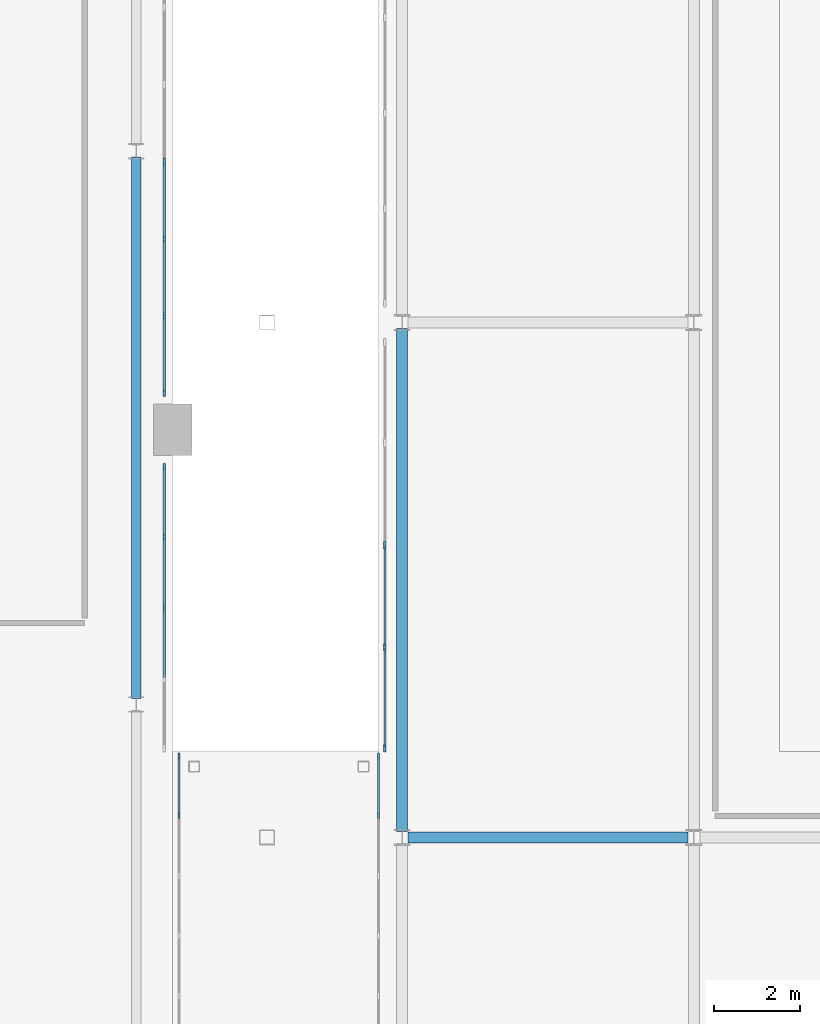
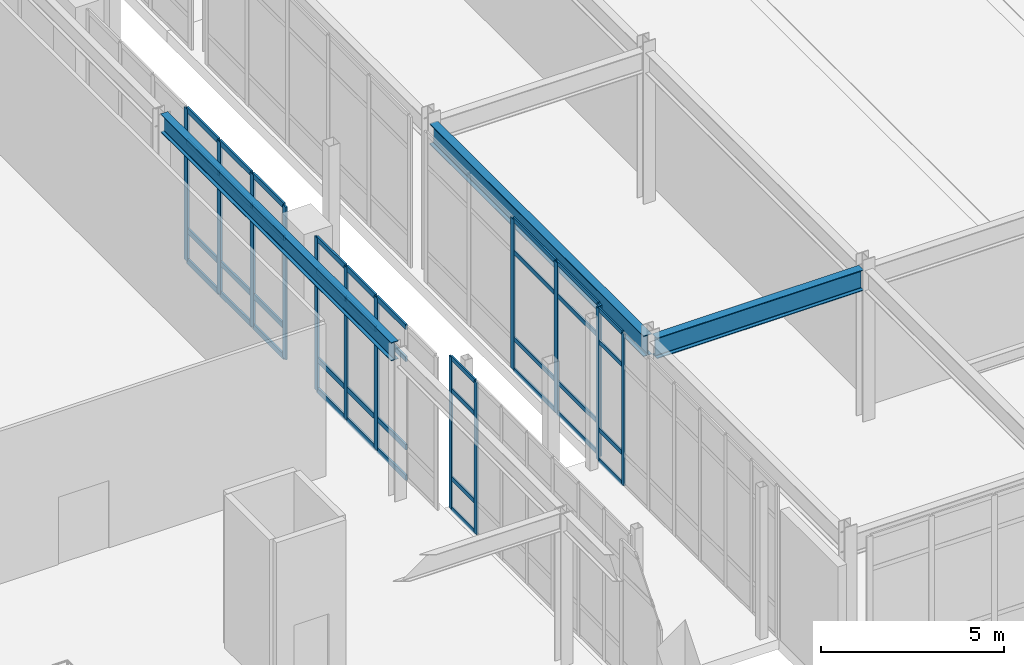
# One storey, part 64 of 159: 54 members, 3 beams, 5 elements without a shape of their own.
"""IFC4 building model written with IfcOpenShell, lengths in metres."""

from ifc_helpers import new_model, si_unit, derived_unit, direction, frame, origin, origin_2d, place, context, subcontext, project, spatial, rectangle, i_section, extrude, material, layer, layer_set, material_profile, profile_set, type_object, element, aggregate, save


model = new_model("IFC4")

# Units and contexts
model_context = context("Model", 3, precision=1e-05, world=origin(), true_north=direction((0.0, 1.0)))
body_context = subcontext(model_context, "Body", "Model", "MODEL_VIEW")
ifc_project = project(units=[si_unit("LENGTHUNIT", "METRE"), si_unit("AREAUNIT", "SQUARE_METRE"), si_unit("VOLUMEUNIT", "CUBIC_METRE"), si_unit("PLANEANGLEUNIT", "RADIAN"), si_unit("MASSUNIT", "GRAM", prefix="KILO"), derived_unit("THERMALTRANSMITTANCEUNIT", [(si_unit("MASSUNIT", "GRAM", prefix="KILO"), 1), (si_unit("TIMEUNIT", "SECOND"), -3), (si_unit("THERMODYNAMICTEMPERATUREUNIT", "KELVIN"), -1)])], contexts=[model_context])

# Site, building, storey
site_placement = place(None, origin())
site = spatial("IfcSite", under=ifc_project, at=site_placement, CompositionType="ELEMENT")
building_placement = place(site_placement, origin())
building = spatial("IfcBuilding", under=site, at=building_placement, Name="Valcora Ridge Arena", CompositionType="ELEMENT")
storey_placement = place(building_placement, frame((0.0, 0.0, 6.0)))
storey = spatial("IfcBuildingStorey", under=building, at=storey_placement, Name="L01", CompositionType="ELEMENT", Elevation=6.0)

# Beams
ifc_material_1 = material(Name="Steel ASTM A572 Grade 50", Category="steel")
ifc_material_profile_1 = material_profile(ifc_material_1, i_section(OverallWidth=0.22900390625, OverallDepth=0.612060546875, WebThickness=0.011962890625, FlangeThickness=0.01953125, FilletRadius=0.01806640625, at=origin_2d()), Name="W24X84")
ifc_profile_set_1 = profile_set([ifc_material_profile_1], Name="Steel ASTM A572 Grade 50")
beam_type_1 = type_object("IfcBeamType", Name="TY-BEAM-G-W24X84-Y", PredefinedType="BEAM", material=ifc_profile_set_1)
beam_1_placement = place(storey_placement, frame((131.0, 19.239990234375, 4.7939453125), z_axis=(0.0, 1.0, 0.0), x_axis=(-1.0, 0.0, 0.0)))
element("IfcBeam", 1, at=beam_1_placement, inside=storey, type_object=beam_type_1, Name="G-W24X84-Y BEM-G-W24X84-Y-0018", PredefinedType="BEAM", context=body_context, shape_type="SweptSolid", body=[
    extrude(i_section(OverallWidth=0.22900390625, OverallDepth=0.612060546875, WebThickness=0.011962890625, FlangeThickness=0.01953125, FilletRadius=0.01806640625, at=origin_2d()), origin(), (0.0, 0.0, 1.0), 12.6201171875),
])
ifc_material_profile_2 = material_profile(ifc_material_1, i_section(OverallWidth=0.256103515625, OverallDepth=0.693115234375, WebThickness=0.014404296875, FlangeThickness=0.023681640625, FilletRadius=0.02001953125, at=origin_2d()), Name="W27X114")
ifc_profile_set_2 = profile_set([ifc_material_profile_2], Name="Steel ASTM A572 Grade 50")
beam_type_2 = type_object("IfcBeamType", Name="TY-BEAM-G-W27X114-X", PredefinedType="BEAM", material=ifc_profile_set_2)
beam_2_placement = place(storey_placement, frame((137.340087890625, 16.0, 4.693603515625), z_axis=(1.0, 0.0, 0.0), x_axis=(0.0, 1.0, 0.0)))
element("IfcBeam", 2, at=beam_2_placement, inside=storey, type_object=beam_type_2, Name="G-W27X114-X BEM-G-W27X114-X-0024", PredefinedType="BEAM", context=body_context, shape_type="SweptSolid", body=[
    extrude(i_section(OverallWidth=0.256103515625, OverallDepth=0.693115234375, WebThickness=0.014404296875, FlangeThickness=0.023681640625, FilletRadius=0.02001953125, at=origin_2d()), origin(), (0.0, 0.0, 1.0), 6.52001953125),
])
ifc_material_profile_3 = material_profile(ifc_material_1, i_section(OverallWidth=0.256103515625, OverallDepth=0.693115234375, WebThickness=0.014404296875, FlangeThickness=0.023681640625, FilletRadius=0.02001953125, at=origin_2d()), Name="W27X114")
ifc_profile_set_3 = profile_set([ifc_material_profile_3], Name="Steel ASTM A572 Grade 50")
beam_type_3 = type_object("IfcBeamType", Name="TY-BEAM-G-W27X114-Y", PredefinedType="BEAM", material=ifc_profile_set_3)
beam_3_placement = place(storey_placement, frame((137.199951171875, 16.139892578125, 4.693603515625), z_axis=(0.0, 1.0, 0.0), x_axis=(-1.0, 0.0, 0.0)))
element("IfcBeam", 3, at=beam_3_placement, inside=storey, type_object=beam_type_3, Name="G-W27X114-Y BEM-G-W27X114-Y-0035", PredefinedType="BEAM", context=body_context, shape_type="SweptSolid", body=[
    extrude(i_section(OverallWidth=0.256103515625, OverallDepth=0.693115234375, WebThickness=0.014404296875, FlangeThickness=0.023681640625, FilletRadius=0.02001953125, at=origin_2d()), origin(), (0.0, 0.0, 1.0), 11.72021484375),
])

# Curtain wall, members
ifc_material_2 = material(Name="Anodised dark bronze architectural aluminium 6063-T6", Category="aluminium")
ifc_layer_1 = layer(ifc_material_2, 0.14990234375, Name="Anodised dark bronze architectural aluminium 6063-T6")
ifc_layer_set_1 = layer_set([ifc_layer_1], Name="Anodised dark bronze architectural aluminium 6063-T6")
curtain_wall_type_1 = type_object("IfcCurtainWallType", Name="TY-CURTAINWALL-CW-BRG-098X51", PredefinedType="NOTDEFINED", material=ifc_layer_set_1)
curtain_wall_1_placement = place(storey_placement, origin())
curtain_wall_1 = element("IfcCurtainWall", 4, at=curtain_wall_1_placement, inside=storey, type_object=curtain_wall_type_1, Name="CW-BRG-098X51 CW-0352", PredefinedType="NOTDEFINED")
ifc_material_profile_4 = material_profile(ifc_material_2, rectangle(XDim=0.050048828125, YDim=0.14990234375, at=origin_2d()), Name="ALU MULLION 50x150")
ifc_profile_set_4 = profile_set([ifc_material_profile_4], Name="Anodised dark bronze architectural aluminium 6063-T6")
member_type_1 = type_object("IfcMemberType", Name="TY-MEM-CWM-50x150", PredefinedType="MULLION", material=ifc_profile_set_4)
member_1_placement = place(storey_placement, frame((132.0, 16.514404296875, 0.0), z_axis=(0.0, 0.0, 1.0), x_axis=(-1.0, 0.0, 0.0)))
member_1 = element("IfcMember", 5, at=member_1_placement, type_object=member_type_1, Name="CW-0352/CWM-50x150/M06", PredefinedType="MULLION", context=body_context, shape_type="SweptSolid", body=[
    extrude(rectangle(XDim=0.050048828125, YDim=0.14990234375, at=origin_2d()), origin(), (0.0, 0.0, 1.0), 5.080078125),
])
member_2_placement = place(storey_placement, frame((132.0, 17.89501953125, 0.0), z_axis=(0.0, 0.0, 1.0), x_axis=(-1.0, 0.0, 0.0)))
member_2 = element("IfcMember", 6, at=member_2_placement, type_object=member_type_1, Name="CW-0352/CWM-50x150/M07", PredefinedType="MULLION", context=body_context, shape_type="SweptSolid", body=[
    extrude(rectangle(XDim=0.050048828125, YDim=0.14990234375, at=origin_2d()), origin(), (0.0, 0.0, 1.0), 5.080078125),
])

curtain_wall_2_placement = place(storey_placement, origin())
curtain_wall_2 = element("IfcCurtainWall", 7, at=curtain_wall_2_placement, inside=storey, type_object=curtain_wall_type_1, Name="CW-BRG-098X51 CW-0353", PredefinedType="NOTDEFINED")
member_3_placement = place(storey_placement, frame((136.64990234375, 16.514404296875, 0.0), z_axis=(0.0, 0.0, 1.0), x_axis=(-1.0, 0.0, 0.0)))
member_3 = element("IfcMember", 8, at=member_3_placement, type_object=member_type_1, Name="CW-0353/CWM-50x150/M06", PredefinedType="MULLION", context=body_context, shape_type="SweptSolid", body=[
    extrude(rectangle(XDim=0.050048828125, YDim=0.14990234375, at=origin_2d()), origin(), (0.0, 0.0, 1.0), 5.080078125),
])
member_4_placement = place(storey_placement, frame((136.64990234375, 17.89501953125, 0.0), z_axis=(0.0, 0.0, 1.0), x_axis=(-1.0, 0.0, 0.0)))
member_4 = element("IfcMember", 9, at=member_4_placement, type_object=member_type_1, Name="CW-0353/CWM-50x150/M07", PredefinedType="MULLION", context=body_context, shape_type="SweptSolid", body=[
    extrude(rectangle(XDim=0.050048828125, YDim=0.14990234375, at=origin_2d()), origin(), (0.0, 0.0, 1.0), 5.080078125),
])

ifc_layer_2 = layer(ifc_material_2, 0.179931640625, Name="Anodised dark bronze architectural aluminium 6063-T6")
ifc_layer_set_2 = layer_set([ifc_layer_2], Name="Anodised dark bronze architectural aluminium 6063-T6")
curtain_wall_type_2 = type_object("IfcCurtainWallType", Name="TY-CURTAINWALL-CW-V3-LANCET-066X51", PredefinedType="NOTDEFINED", material=ifc_layer_set_2)
curtain_wall_3_placement = place(storey_placement, origin())
curtain_wall_3 = element("IfcCurtainWall", 10, at=curtain_wall_3_placement, inside=storey, type_object=curtain_wall_type_2, Name="CW-V3-LANCET-066X51 CW-0014", PredefinedType="NOTDEFINED")
ifc_material_profile_5 = material_profile(ifc_material_2, rectangle(XDim=0.06005859375, YDim=0.179931640625, at=origin_2d()), Name="ALU MULLION 60x180")
ifc_profile_set_5 = profile_set([ifc_material_profile_5], Name="Anodised dark bronze architectural aluminium 6063-T6")
member_type_2 = type_object("IfcMemberType", Name="TY-MEM-CWM-60x180", PredefinedType="MULLION", material=ifc_profile_set_5)
member_5_placement = place(storey_placement, frame((131.64990234375, 21.35498046875, 0.0), z_axis=(0.0, 0.0, 1.0), x_axis=(-1.0, 0.0, 0.0)))
member_5 = element("IfcMember", 11, at=member_5_placement, type_object=member_type_2, Name="CW-0014/CWM-60x180/M02", PredefinedType="MULLION", context=body_context, shape_type="SweptSolid", body=[
    extrude(rectangle(XDim=0.06005859375, YDim=0.179931640625, at=origin_2d()), origin(), (0.0, 0.0, 1.0), 5.10009765625),
])
member_6_placement = place(storey_placement, frame((131.64990234375, 23.007568359375, 0.0), z_axis=(0.0, 0.0, 1.0), x_axis=(-1.0, 0.0, 0.0)))
member_6 = element("IfcMember", 12, at=member_6_placement, type_object=member_type_2, Name="CW-0014/CWM-60x180/M03", PredefinedType="MULLION", context=body_context, shape_type="SweptSolid", body=[
    extrude(rectangle(XDim=0.06005859375, YDim=0.179931640625, at=origin_2d()), origin(), (0.0, 0.0, 1.0), 5.10009765625),
])
member_7_placement = place(storey_placement, frame((131.64990234375, 24.6298828125, 0.0), z_axis=(0.0, 0.0, 1.0), x_axis=(-1.0, 0.0, 0.0)))
member_7 = element("IfcMember", 13, at=member_7_placement, type_object=member_type_2, Name="CW-0014/CWM-60x180/M04", PredefinedType="MULLION", context=body_context, shape_type="SweptSolid", body=[
    extrude(rectangle(XDim=0.06005859375, YDim=0.179931640625, at=origin_2d()), origin(), (0.0, 0.0, 1.0), 5.10009765625),
])

ifc_layer_3 = layer(ifc_material_2, 0.179931640625, Name="Anodised dark bronze architectural aluminium 6063-T6")
ifc_layer_set_3 = layer_set([ifc_layer_3], Name="Anodised dark bronze architectural aluminium 6063-T6")
curtain_wall_type_3 = type_object("IfcCurtainWallType", Name="TY-CURTAINWALL-CW-V3-LANCET-108X51", PredefinedType="NOTDEFINED", material=ifc_layer_set_3)
curtain_wall_4_placement = place(storey_placement, origin())
curtain_wall_4 = element("IfcCurtainWall", 14, at=curtain_wall_4_placement, inside=storey, type_object=curtain_wall_type_3, Name="CW-V3-LANCET-108X51 CW-0015", PredefinedType="NOTDEFINED")
member_8_placement = place(storey_placement, frame((131.64990234375, 26.3701171875, 0.0), z_axis=(0.0, 0.0, 1.0), x_axis=(-1.0, 0.0, 0.0)))
member_8 = element("IfcMember", 15, at=member_8_placement, type_object=member_type_2, Name="CW-0015/CWM-60x180/M00", PredefinedType="MULLION", context=body_context, shape_type="SweptSolid", body=[
    extrude(rectangle(XDim=0.06005859375, YDim=0.179931640625, at=origin_2d()), origin(), (0.0, 0.0, 1.0), 5.10009765625),
])
member_9_placement = place(storey_placement, frame((131.64990234375, 28.143310546875, 0.0), z_axis=(0.0, 0.0, 1.0), x_axis=(-1.0, 0.0, 0.0)))
member_9 = element("IfcMember", 16, at=member_9_placement, type_object=member_type_2, Name="CW-0015/CWM-60x180/M01", PredefinedType="MULLION", context=body_context, shape_type="SweptSolid", body=[
    extrude(rectangle(XDim=0.06005859375, YDim=0.179931640625, at=origin_2d()), origin(), (0.0, 0.0, 1.0), 5.10009765625),
])
member_10_placement = place(storey_placement, frame((131.64990234375, 29.94677734375, 0.0), z_axis=(0.0, 0.0, 1.0), x_axis=(-1.0, 0.0, 0.0)))
member_10 = element("IfcMember", 17, at=member_10_placement, type_object=member_type_2, Name="CW-0015/CWM-60x180/M02", PredefinedType="MULLION", context=body_context, shape_type="SweptSolid", body=[
    extrude(rectangle(XDim=0.06005859375, YDim=0.179931640625, at=origin_2d()), origin(), (0.0, 0.0, 1.0), 5.10009765625),
])
member_11_placement = place(storey_placement, frame((131.64990234375, 31.75, 0.0), z_axis=(0.0, 0.0, 1.0), x_axis=(-1.0, 0.0, 0.0)))
member_11 = element("IfcMember", 18, at=member_11_placement, type_object=member_type_2, Name="CW-0015/CWM-60x180/M03", PredefinedType="MULLION", context=body_context, shape_type="SweptSolid", body=[
    extrude(rectangle(XDim=0.06005859375, YDim=0.179931640625, at=origin_2d()), origin(), (0.0, 0.0, 1.0), 5.10009765625),
])

ifc_layer_4 = layer(ifc_material_2, 0.179931640625, Name="Anodised dark bronze architectural aluminium 6063-T6")
ifc_layer_set_4 = layer_set([ifc_layer_4], Name="Anodised dark bronze architectural aluminium 6063-T6")
curtain_wall_type_4 = type_object("IfcCurtainWallType", Name="TY-CURTAINWALL-CW-V2-GLAZ-095X50", PredefinedType="NOTDEFINED", material=ifc_layer_set_4)
curtain_wall_5_placement = place(storey_placement, origin())
curtain_wall_5 = element("IfcCurtainWall", 19, at=curtain_wall_5_placement, inside=storey, type_object=curtain_wall_type_4, Name="CW-V2-GLAZ-095X50 CW-0039", PredefinedType="NOTDEFINED")
member_12_placement = place(storey_placement, frame((136.800048828125, 18.080078125, 0.0), z_axis=(0.0, 0.0, 1.0), x_axis=(-1.0, 0.0, 0.0)))
member_12 = element("IfcMember", 20, at=member_12_placement, type_object=member_type_2, Name="CW-0039/CWM-60x180/M00", PredefinedType="MULLION", context=body_context, shape_type="SweptSolid", body=[
    extrude(rectangle(XDim=0.06005859375, YDim=0.179931640625, at=origin_2d()), origin(), (0.0, 0.0, 1.0), 5.0400390625),
])
member_13_placement = place(storey_placement, frame((136.800048828125, 20.430908203125, 0.0), z_axis=(0.0, 0.0, 1.0), x_axis=(-1.0, 0.0, 0.0)))
member_13 = element("IfcMember", 21, at=member_13_placement, type_object=member_type_2, Name="CW-0039/CWM-60x180/M01", PredefinedType="MULLION", context=body_context, shape_type="SweptSolid", body=[
    extrude(rectangle(XDim=0.06005859375, YDim=0.179931640625, at=origin_2d()), origin(), (0.0, 0.0, 1.0), 5.0400390625),
])
member_14_placement = place(storey_placement, frame((136.800048828125, 22.811767578125, 0.0), z_axis=(0.0, 0.0, 1.0), x_axis=(-1.0, 0.0, 0.0)))
member_14 = element("IfcMember", 22, at=member_14_placement, type_object=member_type_2, Name="CW-0039/CWM-60x180/M02", PredefinedType="MULLION", context=body_context, shape_type="SweptSolid", body=[
    extrude(rectangle(XDim=0.06005859375, YDim=0.179931640625, at=origin_2d()), origin(), (0.0, 0.0, 1.0), 5.0400390625),
])
ifc_material_profile_6 = material_profile(ifc_material_2, rectangle(XDim=0.050048828125, YDim=0.14990234375, at=origin_2d()), Name="ALU TRANSOM 50x150")
ifc_profile_set_6 = profile_set([ifc_material_profile_6], Name="Anodised dark bronze architectural aluminium 6063-T6")
member_type_3 = type_object("IfcMemberType", Name="TY-MEM-CWT-50x150", PredefinedType="USERDEFINED", material=ifc_profile_set_6)
member_15_placement = place(storey_placement, frame((136.800048828125, 18.110107421875, 0.02490234375), z_axis=(0.0, 1.0, 0.0), x_axis=(-1.0, 0.0, 0.0)))
member_15 = element("IfcMember", 23, at=member_15_placement, type_object=member_type_3, Name="CW-0039/CWT-50x150/T00-00", ObjectType="TRANSOM", PredefinedType="USERDEFINED", context=body_context, shape_type="SweptSolid", body=[
    extrude(rectangle(XDim=0.050048828125, YDim=0.14990234375, at=origin_2d()), origin(), (0.0, 0.0, 1.0), 2.290771484375),
])
member_16_placement = place(storey_placement, frame((136.800048828125, 18.110107421875, 1.050048828125), z_axis=(0.0, 1.0, 0.0), x_axis=(-1.0, 0.0, 0.0)))
member_16 = element("IfcMember", 24, at=member_16_placement, type_object=member_type_3, Name="CW-0039/CWT-50x150/T00-01", ObjectType="TRANSOM", PredefinedType="USERDEFINED", context=body_context, shape_type="SweptSolid", body=[
    extrude(rectangle(XDim=0.050048828125, YDim=0.14990234375, at=origin_2d()), origin(), (0.0, 0.0, 1.0), 2.290771484375),
])
member_17_placement = place(storey_placement, frame((136.800048828125, 18.110107421875, 3.93994140625), z_axis=(0.0, 1.0, 0.0), x_axis=(-1.0, 0.0, 0.0)))
member_17 = element("IfcMember", 25, at=member_17_placement, type_object=member_type_3, Name="CW-0039/CWT-50x150/T00-02", ObjectType="TRANSOM", PredefinedType="USERDEFINED", context=body_context, shape_type="SweptSolid", body=[
    extrude(rectangle(XDim=0.050048828125, YDim=0.14990234375, at=origin_2d()), origin(), (0.0, 0.0, 1.0), 2.290771484375),
])
member_18_placement = place(storey_placement, frame((136.800048828125, 18.110107421875, 5.014892578125), z_axis=(0.0, 1.0, 0.0), x_axis=(-1.0, 0.0, 0.0)))
member_18 = element("IfcMember", 26, at=member_18_placement, type_object=member_type_3, Name="CW-0039/CWT-50x150/T00-03", ObjectType="TRANSOM", PredefinedType="USERDEFINED", context=body_context, shape_type="SweptSolid", body=[
    extrude(rectangle(XDim=0.050048828125, YDim=0.14990234375, at=origin_2d()), origin(), (0.0, 0.0, 1.0), 2.290771484375),
])
member_19_placement = place(storey_placement, frame((136.800048828125, 20.4609375, 0.02490234375), z_axis=(0.0, 1.0, 0.0), x_axis=(-1.0, 0.0, 0.0)))
member_19 = element("IfcMember", 27, at=member_19_placement, type_object=member_type_3, Name="CW-0039/CWT-50x150/T01-00", ObjectType="TRANSOM", PredefinedType="USERDEFINED", context=body_context, shape_type="SweptSolid", body=[
    extrude(rectangle(XDim=0.050048828125, YDim=0.14990234375, at=origin_2d()), origin(), (0.0, 0.0, 1.0), 2.321044921875),
])
member_20_placement = place(storey_placement, frame((136.800048828125, 20.4609375, 1.050048828125), z_axis=(0.0, 1.0, 0.0), x_axis=(-1.0, 0.0, 0.0)))
member_20 = element("IfcMember", 28, at=member_20_placement, type_object=member_type_3, Name="CW-0039/CWT-50x150/T01-01", ObjectType="TRANSOM", PredefinedType="USERDEFINED", context=body_context, shape_type="SweptSolid", body=[
    extrude(rectangle(XDim=0.050048828125, YDim=0.14990234375, at=origin_2d()), origin(), (0.0, 0.0, 1.0), 2.321044921875),
])
member_21_placement = place(storey_placement, frame((136.800048828125, 20.4609375, 3.93994140625), z_axis=(0.0, 1.0, 0.0), x_axis=(-1.0, 0.0, 0.0)))
member_21 = element("IfcMember", 29, at=member_21_placement, type_object=member_type_3, Name="CW-0039/CWT-50x150/T01-02", ObjectType="TRANSOM", PredefinedType="USERDEFINED", context=body_context, shape_type="SweptSolid", body=[
    extrude(rectangle(XDim=0.050048828125, YDim=0.14990234375, at=origin_2d()), origin(), (0.0, 0.0, 1.0), 2.321044921875),
])
member_22_placement = place(storey_placement, frame((136.800048828125, 20.4609375, 5.014892578125), z_axis=(0.0, 1.0, 0.0), x_axis=(-1.0, 0.0, 0.0)))
member_22 = element("IfcMember", 30, at=member_22_placement, type_object=member_type_3, Name="CW-0039/CWT-50x150/T01-03", ObjectType="TRANSOM", PredefinedType="USERDEFINED", context=body_context, shape_type="SweptSolid", body=[
    extrude(rectangle(XDim=0.050048828125, YDim=0.14990234375, at=origin_2d()), origin(), (0.0, 0.0, 1.0), 2.321044921875),
])
aggregate(curtain_wall_5, [member_12, member_13, member_14, member_15, member_16, member_17, member_18, member_19, member_20, member_21, member_22])

# Member
member_23_placement = place(storey_placement, frame((132.0, 16.5390625, 0.02490234375), z_axis=(0.0, 1.0, 0.0), x_axis=(-1.0, 0.0, 0.0)))
member_23 = element("IfcMember", 31, at=member_23_placement, type_object=member_type_3, Name="CW-0352/CWT-50x150/T06-00", ObjectType="TRANSOM", PredefinedType="USERDEFINED", context=body_context, shape_type="SweptSolid", body=[
    extrude(rectangle(XDim=0.050048828125, YDim=0.14990234375, at=origin_2d()), origin(), (0.0, 0.0, 1.0), 1.3310546875),
])

member_24_placement = place(storey_placement, frame((132.0, 16.5390625, 1.050048828125), z_axis=(0.0, 1.0, 0.0), x_axis=(-1.0, 0.0, 0.0)))
member_24 = element("IfcMember", 32, at=member_24_placement, type_object=member_type_3, Name="CW-0352/CWT-50x150/T06-01", ObjectType="TRANSOM", PredefinedType="USERDEFINED", context=body_context, shape_type="SweptSolid", body=[
    extrude(rectangle(XDim=0.050048828125, YDim=0.14990234375, at=origin_2d()), origin(), (0.0, 0.0, 1.0), 1.3310546875),
])

member_25_placement = place(storey_placement, frame((132.0, 16.5390625, 3.97998046875), z_axis=(0.0, 1.0, 0.0), x_axis=(-1.0, 0.0, 0.0)))
member_25 = element("IfcMember", 33, at=member_25_placement, type_object=member_type_3, Name="CW-0352/CWT-50x150/T06-02", ObjectType="TRANSOM", PredefinedType="USERDEFINED", context=body_context, shape_type="SweptSolid", body=[
    extrude(rectangle(XDim=0.050048828125, YDim=0.14990234375, at=origin_2d()), origin(), (0.0, 0.0, 1.0), 1.3310546875),
])

member_26_placement = place(storey_placement, frame((132.0, 16.5390625, 5.054931640625), z_axis=(0.0, 1.0, 0.0), x_axis=(-1.0, 0.0, 0.0)))
member_26 = element("IfcMember", 34, at=member_26_placement, type_object=member_type_3, Name="CW-0352/CWT-50x150/T06-03", ObjectType="TRANSOM", PredefinedType="USERDEFINED", context=body_context, shape_type="SweptSolid", body=[
    extrude(rectangle(XDim=0.050048828125, YDim=0.14990234375, at=origin_2d()), origin(), (0.0, 0.0, 1.0), 1.3310546875),
])

aggregate(curtain_wall_1, [member_1, member_2, member_23, member_24, member_25, member_26])

member_27_placement = place(storey_placement, frame((136.64990234375, 16.5390625, 0.02490234375), z_axis=(0.0, 1.0, 0.0), x_axis=(-1.0, 0.0, 0.0)))
member_27 = element("IfcMember", 35, at=member_27_placement, type_object=member_type_3, Name="CW-0353/CWT-50x150/T06-00", ObjectType="TRANSOM", PredefinedType="USERDEFINED", context=body_context, shape_type="SweptSolid", body=[
    extrude(rectangle(XDim=0.050048828125, YDim=0.14990234375, at=origin_2d()), origin(), (0.0, 0.0, 1.0), 1.3310546875),
])

member_28_placement = place(storey_placement, frame((136.64990234375, 16.5390625, 1.050048828125), z_axis=(0.0, 1.0, 0.0), x_axis=(-1.0, 0.0, 0.0)))
member_28 = element("IfcMember", 36, at=member_28_placement, type_object=member_type_3, Name="CW-0353/CWT-50x150/T06-01", ObjectType="TRANSOM", PredefinedType="USERDEFINED", context=body_context, shape_type="SweptSolid", body=[
    extrude(rectangle(XDim=0.050048828125, YDim=0.14990234375, at=origin_2d()), origin(), (0.0, 0.0, 1.0), 1.3310546875),
])

member_29_placement = place(storey_placement, frame((136.64990234375, 16.5390625, 3.97998046875), z_axis=(0.0, 1.0, 0.0), x_axis=(-1.0, 0.0, 0.0)))
member_29 = element("IfcMember", 37, at=member_29_placement, type_object=member_type_3, Name="CW-0353/CWT-50x150/T06-02", ObjectType="TRANSOM", PredefinedType="USERDEFINED", context=body_context, shape_type="SweptSolid", body=[
    extrude(rectangle(XDim=0.050048828125, YDim=0.14990234375, at=origin_2d()), origin(), (0.0, 0.0, 1.0), 1.3310546875),
])

member_30_placement = place(storey_placement, frame((136.64990234375, 16.5390625, 5.054931640625), z_axis=(0.0, 1.0, 0.0), x_axis=(-1.0, 0.0, 0.0)))
member_30 = element("IfcMember", 38, at=member_30_placement, type_object=member_type_3, Name="CW-0353/CWT-50x150/T06-03", ObjectType="TRANSOM", PredefinedType="USERDEFINED", context=body_context, shape_type="SweptSolid", body=[
    extrude(rectangle(XDim=0.050048828125, YDim=0.14990234375, at=origin_2d()), origin(), (0.0, 0.0, 1.0), 1.3310546875),
])

aggregate(curtain_wall_2, [member_3, member_4, member_27, member_28, member_29, member_30])

ifc_material_profile_7 = material_profile(ifc_material_2, rectangle(XDim=0.06005859375, YDim=0.179931640625, at=origin_2d()), Name="ALU TRANSOM 60x180")
ifc_profile_set_7 = profile_set([ifc_material_profile_7], Name="Anodised dark bronze architectural aluminium 6063-T6")
member_type_4 = type_object("IfcMemberType", Name="TY-MEM-CWT-60x180", PredefinedType="USERDEFINED", material=ifc_profile_set_7)
member_31_placement = place(storey_placement, frame((131.64990234375, 19.73291015625, 0.030029296875), z_axis=(0.0, 1.0, 0.0), x_axis=(-1.0, 0.0, 0.0)))
member_31 = element("IfcMember", 39, at=member_31_placement, type_object=member_type_4, Name="CW-0014/CWT-60x180/T01-00", ObjectType="TRANSOM", PredefinedType="USERDEFINED", context=body_context, shape_type="SweptSolid", body=[
    extrude(rectangle(XDim=0.06005859375, YDim=0.179931640625, at=origin_2d()), origin(), (0.0, 0.0, 1.0), 1.592041015625),
])

member_32_placement = place(storey_placement, frame((131.64990234375, 19.73291015625, 1.050048828125), z_axis=(0.0, 1.0, 0.0), x_axis=(-1.0, 0.0, 0.0)))
member_32 = element("IfcMember", 40, at=member_32_placement, type_object=member_type_4, Name="CW-0014/CWT-60x180/T01-01", ObjectType="TRANSOM", PredefinedType="USERDEFINED", context=body_context, shape_type="SweptSolid", body=[
    extrude(rectangle(XDim=0.06005859375, YDim=0.179931640625, at=origin_2d()), origin(), (0.0, 0.0, 1.0), 1.592041015625),
])

member_33_placement = place(storey_placement, frame((131.64990234375, 19.73291015625, 4.0), z_axis=(0.0, 1.0, 0.0), x_axis=(-1.0, 0.0, 0.0)))
member_33 = element("IfcMember", 41, at=member_33_placement, type_object=member_type_4, Name="CW-0014/CWT-60x180/T01-02", ObjectType="TRANSOM", PredefinedType="USERDEFINED", context=body_context, shape_type="SweptSolid", body=[
    extrude(rectangle(XDim=0.06005859375, YDim=0.179931640625, at=origin_2d()), origin(), (0.0, 0.0, 1.0), 1.592041015625),
])

member_34_placement = place(storey_placement, frame((131.64990234375, 19.73291015625, 5.070068359375), z_axis=(0.0, 1.0, 0.0), x_axis=(-1.0, 0.0, 0.0)))
member_34 = element("IfcMember", 42, at=member_34_placement, type_object=member_type_4, Name="CW-0014/CWT-60x180/T01-03", ObjectType="TRANSOM", PredefinedType="USERDEFINED", context=body_context, shape_type="SweptSolid", body=[
    extrude(rectangle(XDim=0.06005859375, YDim=0.179931640625, at=origin_2d()), origin(), (0.0, 0.0, 1.0), 1.592041015625),
])

member_35_placement = place(storey_placement, frame((131.64990234375, 21.385009765625, 0.030029296875), z_axis=(0.0, 1.0, 0.0), x_axis=(-1.0, 0.0, 0.0)))
member_35 = element("IfcMember", 43, at=member_35_placement, type_object=member_type_4, Name="CW-0014/CWT-60x180/T02-00", ObjectType="TRANSOM", PredefinedType="USERDEFINED", context=body_context, shape_type="SweptSolid", body=[
    extrude(rectangle(XDim=0.06005859375, YDim=0.179931640625, at=origin_2d()), origin(), (0.0, 0.0, 1.0), 1.593017578125),
])

member_36_placement = place(storey_placement, frame((131.64990234375, 21.385009765625, 1.050048828125), z_axis=(0.0, 1.0, 0.0), x_axis=(-1.0, 0.0, 0.0)))
member_36 = element("IfcMember", 44, at=member_36_placement, type_object=member_type_4, Name="CW-0014/CWT-60x180/T02-01", ObjectType="TRANSOM", PredefinedType="USERDEFINED", context=body_context, shape_type="SweptSolid", body=[
    extrude(rectangle(XDim=0.06005859375, YDim=0.179931640625, at=origin_2d()), origin(), (0.0, 0.0, 1.0), 1.593017578125),
])

member_37_placement = place(storey_placement, frame((131.64990234375, 21.385009765625, 4.0), z_axis=(0.0, 1.0, 0.0), x_axis=(-1.0, 0.0, 0.0)))
member_37 = element("IfcMember", 45, at=member_37_placement, type_object=member_type_4, Name="CW-0014/CWT-60x180/T02-02", ObjectType="TRANSOM", PredefinedType="USERDEFINED", context=body_context, shape_type="SweptSolid", body=[
    extrude(rectangle(XDim=0.06005859375, YDim=0.179931640625, at=origin_2d()), origin(), (0.0, 0.0, 1.0), 1.593017578125),
])

member_38_placement = place(storey_placement, frame((131.64990234375, 21.385009765625, 5.070068359375), z_axis=(0.0, 1.0, 0.0), x_axis=(-1.0, 0.0, 0.0)))
member_38 = element("IfcMember", 46, at=member_38_placement, type_object=member_type_4, Name="CW-0014/CWT-60x180/T02-03", ObjectType="TRANSOM", PredefinedType="USERDEFINED", context=body_context, shape_type="SweptSolid", body=[
    extrude(rectangle(XDim=0.06005859375, YDim=0.179931640625, at=origin_2d()), origin(), (0.0, 0.0, 1.0), 1.593017578125),
])

member_39_placement = place(storey_placement, frame((131.64990234375, 23.0380859375, 0.030029296875), z_axis=(0.0, 1.0, 0.0), x_axis=(-1.0, 0.0, 0.0)))
member_39 = element("IfcMember", 47, at=member_39_placement, type_object=member_type_4, Name="CW-0014/CWT-60x180/T03-00", ObjectType="TRANSOM", PredefinedType="USERDEFINED", context=body_context, shape_type="SweptSolid", body=[
    extrude(rectangle(XDim=0.06005859375, YDim=0.179931640625, at=origin_2d()), origin(), (0.0, 0.0, 1.0), 1.56201171875),
])

member_40_placement = place(storey_placement, frame((131.64990234375, 23.0380859375, 1.050048828125), z_axis=(0.0, 1.0, 0.0), x_axis=(-1.0, 0.0, 0.0)))
member_40 = element("IfcMember", 48, at=member_40_placement, type_object=member_type_4, Name="CW-0014/CWT-60x180/T03-01", ObjectType="TRANSOM", PredefinedType="USERDEFINED", context=body_context, shape_type="SweptSolid", body=[
    extrude(rectangle(XDim=0.06005859375, YDim=0.179931640625, at=origin_2d()), origin(), (0.0, 0.0, 1.0), 1.56201171875),
])

member_41_placement = place(storey_placement, frame((131.64990234375, 23.0380859375, 4.0), z_axis=(0.0, 1.0, 0.0), x_axis=(-1.0, 0.0, 0.0)))
member_41 = element("IfcMember", 49, at=member_41_placement, type_object=member_type_4, Name="CW-0014/CWT-60x180/T03-02", ObjectType="TRANSOM", PredefinedType="USERDEFINED", context=body_context, shape_type="SweptSolid", body=[
    extrude(rectangle(XDim=0.06005859375, YDim=0.179931640625, at=origin_2d()), origin(), (0.0, 0.0, 1.0), 1.56201171875),
])

member_42_placement = place(storey_placement, frame((131.64990234375, 23.0380859375, 5.070068359375), z_axis=(0.0, 1.0, 0.0), x_axis=(-1.0, 0.0, 0.0)))
member_42 = element("IfcMember", 50, at=member_42_placement, type_object=member_type_4, Name="CW-0014/CWT-60x180/T03-03", ObjectType="TRANSOM", PredefinedType="USERDEFINED", context=body_context, shape_type="SweptSolid", body=[
    extrude(rectangle(XDim=0.06005859375, YDim=0.179931640625, at=origin_2d()), origin(), (0.0, 0.0, 1.0), 1.56201171875),
])

aggregate(curtain_wall_3, [member_5, member_6, member_7, member_31, member_32, member_33, member_34, member_35, member_36, member_37, member_38, member_39, member_40, member_41, member_42])

member_43_placement = place(storey_placement, frame((131.64990234375, 26.39990234375, 0.030029296875), z_axis=(0.0, 1.0, 0.0), x_axis=(-1.0, 0.0, 0.0)))
member_43 = element("IfcMember", 51, at=member_43_placement, type_object=member_type_4, Name="CW-0015/CWT-60x180/T00-00", ObjectType="TRANSOM", PredefinedType="USERDEFINED", context=body_context, shape_type="SweptSolid", body=[
    extrude(rectangle(XDim=0.06005859375, YDim=0.179931640625, at=origin_2d()), origin(), (0.0, 0.0, 1.0), 1.713134765625),
])

member_44_placement = place(storey_placement, frame((131.64990234375, 26.39990234375, 1.050048828125), z_axis=(0.0, 1.0, 0.0), x_axis=(-1.0, 0.0, 0.0)))
member_44 = element("IfcMember", 52, at=member_44_placement, type_object=member_type_4, Name="CW-0015/CWT-60x180/T00-01", ObjectType="TRANSOM", PredefinedType="USERDEFINED", context=body_context, shape_type="SweptSolid", body=[
    extrude(rectangle(XDim=0.06005859375, YDim=0.179931640625, at=origin_2d()), origin(), (0.0, 0.0, 1.0), 1.713134765625),
])

member_45_placement = place(storey_placement, frame((131.64990234375, 26.39990234375, 4.0), z_axis=(0.0, 1.0, 0.0), x_axis=(-1.0, 0.0, 0.0)))
member_45 = element("IfcMember", 53, at=member_45_placement, type_object=member_type_4, Name="CW-0015/CWT-60x180/T00-02", ObjectType="TRANSOM", PredefinedType="USERDEFINED", context=body_context, shape_type="SweptSolid", body=[
    extrude(rectangle(XDim=0.06005859375, YDim=0.179931640625, at=origin_2d()), origin(), (0.0, 0.0, 1.0), 1.713134765625),
])

member_46_placement = place(storey_placement, frame((131.64990234375, 26.39990234375, 5.070068359375), z_axis=(0.0, 1.0, 0.0), x_axis=(-1.0, 0.0, 0.0)))
member_46 = element("IfcMember", 54, at=member_46_placement, type_object=member_type_4, Name="CW-0015/CWT-60x180/T00-03", ObjectType="TRANSOM", PredefinedType="USERDEFINED", context=body_context, shape_type="SweptSolid", body=[
    extrude(rectangle(XDim=0.06005859375, YDim=0.179931640625, at=origin_2d()), origin(), (0.0, 0.0, 1.0), 1.713134765625),
])

member_47_placement = place(storey_placement, frame((131.64990234375, 28.173095703125, 0.030029296875), z_axis=(0.0, 1.0, 0.0), x_axis=(-1.0, 0.0, 0.0)))
member_47 = element("IfcMember", 55, at=member_47_placement, type_object=member_type_4, Name="CW-0015/CWT-60x180/T01-00", ObjectType="TRANSOM", PredefinedType="USERDEFINED", context=body_context, shape_type="SweptSolid", body=[
    extrude(rectangle(XDim=0.06005859375, YDim=0.179931640625, at=origin_2d()), origin(), (0.0, 0.0, 1.0), 1.743896484375),
])

member_48_placement = place(storey_placement, frame((131.64990234375, 28.173095703125, 1.050048828125), z_axis=(0.0, 1.0, 0.0), x_axis=(-1.0, 0.0, 0.0)))
member_48 = element("IfcMember", 56, at=member_48_placement, type_object=member_type_4, Name="CW-0015/CWT-60x180/T01-01", ObjectType="TRANSOM", PredefinedType="USERDEFINED", context=body_context, shape_type="SweptSolid", body=[
    extrude(rectangle(XDim=0.06005859375, YDim=0.179931640625, at=origin_2d()), origin(), (0.0, 0.0, 1.0), 1.743896484375),
])

member_49_placement = place(storey_placement, frame((131.64990234375, 28.173095703125, 4.0), z_axis=(0.0, 1.0, 0.0), x_axis=(-1.0, 0.0, 0.0)))
member_49 = element("IfcMember", 57, at=member_49_placement, type_object=member_type_4, Name="CW-0015/CWT-60x180/T01-02", ObjectType="TRANSOM", PredefinedType="USERDEFINED", context=body_context, shape_type="SweptSolid", body=[
    extrude(rectangle(XDim=0.06005859375, YDim=0.179931640625, at=origin_2d()), origin(), (0.0, 0.0, 1.0), 1.743896484375),
])

member_50_placement = place(storey_placement, frame((131.64990234375, 28.173095703125, 5.070068359375), z_axis=(0.0, 1.0, 0.0), x_axis=(-1.0, 0.0, 0.0)))
member_50 = element("IfcMember", 58, at=member_50_placement, type_object=member_type_4, Name="CW-0015/CWT-60x180/T01-03", ObjectType="TRANSOM", PredefinedType="USERDEFINED", context=body_context, shape_type="SweptSolid", body=[
    extrude(rectangle(XDim=0.06005859375, YDim=0.179931640625, at=origin_2d()), origin(), (0.0, 0.0, 1.0), 1.743896484375),
])

member_51_placement = place(storey_placement, frame((131.64990234375, 29.97705078125, 0.030029296875), z_axis=(0.0, 1.0, 0.0), x_axis=(-1.0, 0.0, 0.0)))
member_51 = element("IfcMember", 59, at=member_51_placement, type_object=member_type_4, Name="CW-0015/CWT-60x180/T02-00", ObjectType="TRANSOM", PredefinedType="USERDEFINED", context=body_context, shape_type="SweptSolid", body=[
    extrude(rectangle(XDim=0.06005859375, YDim=0.179931640625, at=origin_2d()), origin(), (0.0, 0.0, 1.0), 1.742919921875),
])

member_52_placement = place(storey_placement, frame((131.64990234375, 29.97705078125, 1.050048828125), z_axis=(0.0, 1.0, 0.0), x_axis=(-1.0, 0.0, 0.0)))
member_52 = element("IfcMember", 60, at=member_52_placement, type_object=member_type_4, Name="CW-0015/CWT-60x180/T02-01", ObjectType="TRANSOM", PredefinedType="USERDEFINED", context=body_context, shape_type="SweptSolid", body=[
    extrude(rectangle(XDim=0.06005859375, YDim=0.179931640625, at=origin_2d()), origin(), (0.0, 0.0, 1.0), 1.742919921875),
])

member_53_placement = place(storey_placement, frame((131.64990234375, 29.97705078125, 4.0), z_axis=(0.0, 1.0, 0.0), x_axis=(-1.0, 0.0, 0.0)))
member_53 = element("IfcMember", 61, at=member_53_placement, type_object=member_type_4, Name="CW-0015/CWT-60x180/T02-02", ObjectType="TRANSOM", PredefinedType="USERDEFINED", context=body_context, shape_type="SweptSolid", body=[
    extrude(rectangle(XDim=0.06005859375, YDim=0.179931640625, at=origin_2d()), origin(), (0.0, 0.0, 1.0), 1.742919921875),
])

member_54_placement = place(storey_placement, frame((131.64990234375, 29.97705078125, 5.070068359375), z_axis=(0.0, 1.0, 0.0), x_axis=(-1.0, 0.0, 0.0)))
member_54 = element("IfcMember", 62, at=member_54_placement, type_object=member_type_4, Name="CW-0015/CWT-60x180/T02-03", ObjectType="TRANSOM", PredefinedType="USERDEFINED", context=body_context, shape_type="SweptSolid", body=[
    extrude(rectangle(XDim=0.06005859375, YDim=0.179931640625, at=origin_2d()), origin(), (0.0, 0.0, 1.0), 1.742919921875),
])

aggregate(curtain_wall_4, [member_8, member_9, member_10, member_11, member_43, member_44, member_45, member_46, member_47, member_48, member_49, member_50, member_51, member_52, member_53, member_54])

save(model, "model.ifc")
